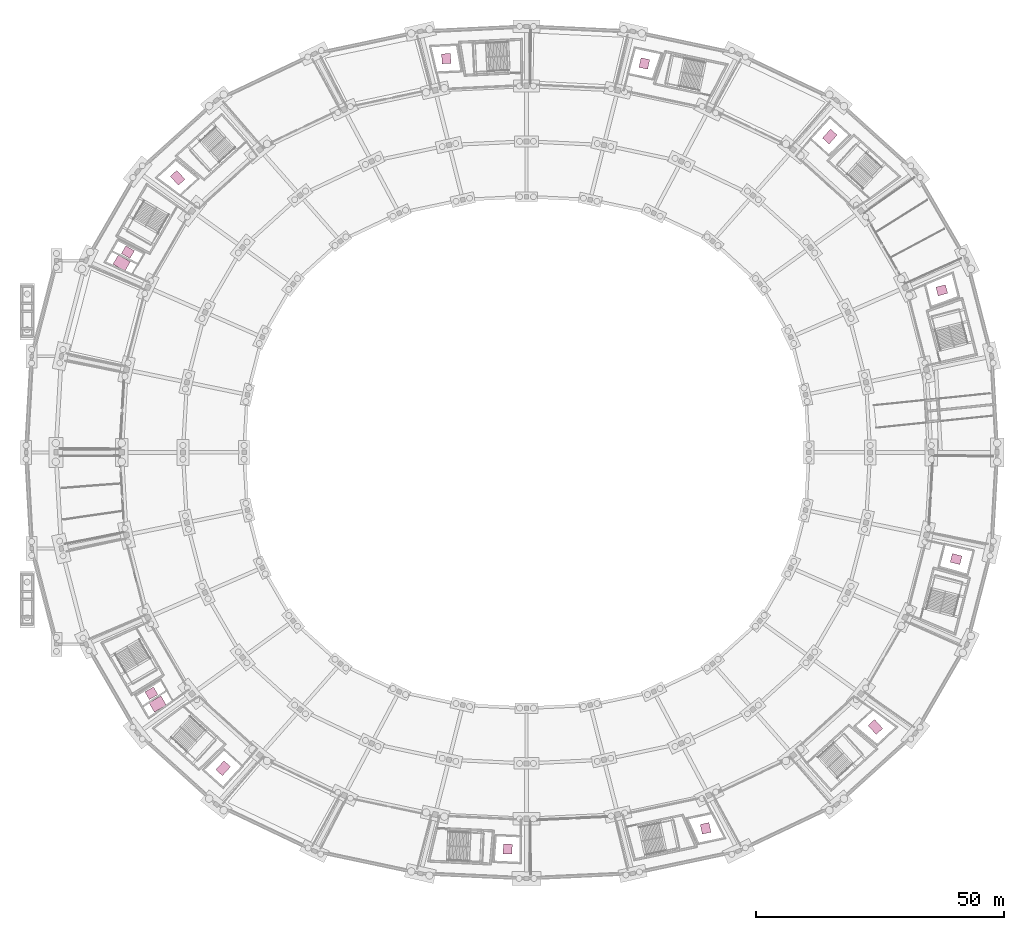
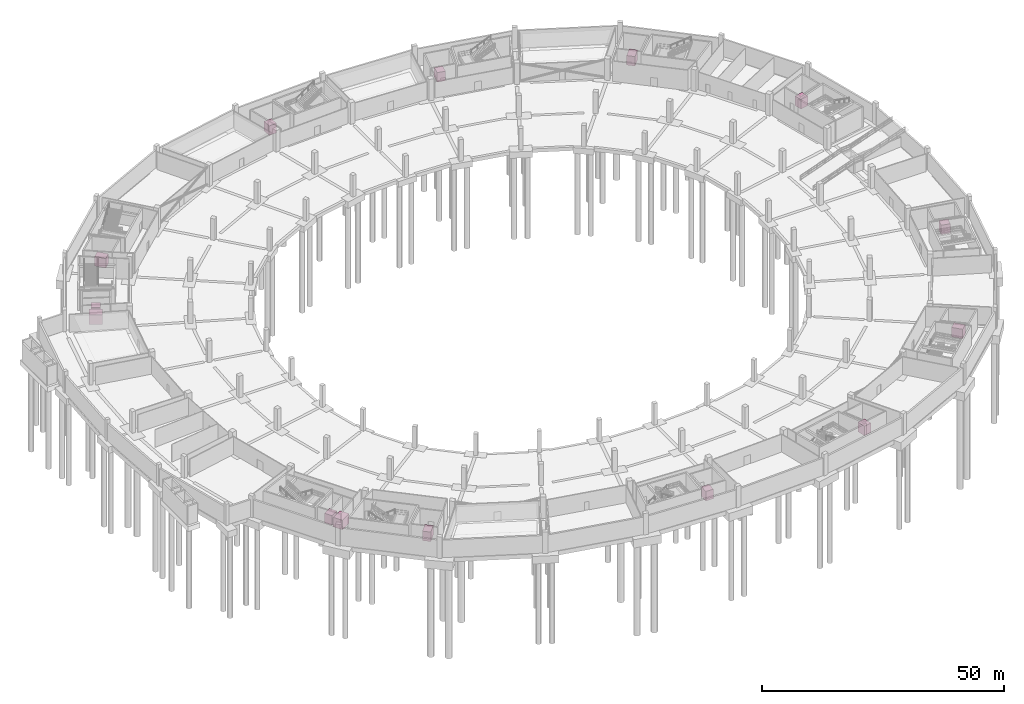
# One storey, part 49 of 49: 14 transport elements.
"""IFC4 building model written with IfcOpenShell, lengths in metres."""

from ifc_helpers import new_model, si_unit, direction, frame, origin, origin_2d, place, context, subcontext, project, spatial, rectangle, extrude, material, type_object, element, save


model = new_model("IFC4")

# Units and contexts
model_context = context("Model", 3, precision=1e-05, world=origin(), true_north=direction((0.0, 1.0)))
body_context = subcontext(model_context, "Body", "Model", "MODEL_VIEW")
ifc_project = project(units=[si_unit("LENGTHUNIT", "METRE"), si_unit("AREAUNIT", "SQUARE_METRE"), si_unit("VOLUMEUNIT", "CUBIC_METRE"), si_unit("PLANEANGLEUNIT", "RADIAN"), si_unit("MASSUNIT", "GRAM", prefix="KILO")], contexts=[model_context])

# Site, building, storey
site_placement = place(None, origin())
site = spatial("IfcSite", under=ifc_project, at=site_placement, CompositionType="ELEMENT")
building_placement = place(site_placement, origin())
building = spatial("IfcBuilding", under=site, at=building_placement, Name="Kazemori Nagisa Stadium", CompositionType="ELEMENT")
storey_placement = place(building_placement, frame((0.0, 0.0, -5.43994140625)))
storey = spatial("IfcBuildingStorey", under=building, at=storey_placement, Name="B1", CompositionType="ELEMENT", Elevation=-5.43994140625)

# Transport elements
ifc_material_1 = material(Name="Stainless steel SUS304", Category="steel")
transport_element_type_1 = type_object("IfcTransportElementType", Name="Lift_FF", PredefinedType="ELEVATOR", material=ifc_material_1)
for number, where, z_axis, x_axis, name in (
    (1, (184.221923828125, 165.746826171875, 0.0), (0.0, 0.0, 1.0), (-0.741350875443, 0.671117634607, 0.0), "Emergency firefighting elevator FL1"),
    (2, (52.58203125, 157.422119140625, 0.0), (0.0, 0.0, 1.0), (-0.741350875443, -0.671117634607, 0.0), "Emergency firefighting elevator FL2"),
    (3, (61.778076171875, 38.253173828125, 0.0), (0.0, 0.0, 1.0), (0.741350875443, -0.671117634607, 0.0), "Emergency firefighting elevator FL3"),
    (4, (193.41796875, 46.577880859375, 0.0), (0.0, 0.0, 1.0), (0.741350875443, 0.671117634607, 0.0), "Emergency firefighting elevator FL4"),
):
    element("IfcTransportElement", number, at=place(storey_placement, frame(where, z_axis=z_axis, x_axis=x_axis)), inside=storey, type_object=transport_element_type_1, Name=name, PredefinedType="ELEVATOR", context=body_context, shape_type="SweptSolid", body=[
        extrude(rectangle(XDim=1.800048828125, YDim=2.449951171875, at=origin_2d()), origin(), (0.0, 0.0, 1.0), 2.39990234375),
    ])
ifc_material_2 = material(Name="Galvanised chequer-plate steel", Category="steel")
transport_element_type_2 = type_object("IfcTransportElementType", Name="Lift_GDS", PredefinedType="ELEVATOR", material=ifc_material_2)
for number, where, z_axis, x_axis, name in (
    (5, (41.281982421875, 140.242919921875, 0.0), (0.0, 0.0, 1.0), (-0.501611590054, -0.865092950337, 0.0), "Freight elevator LG1"),
    (6, (48.55224609375, 51.21875, 0.0), (0.0, 0.0, 1.0), (0.501611590054, -0.865092950337, 0.0), "Freight elevator LG2"),
):
    element("IfcTransportElement", number, at=place(storey_placement, frame(where, z_axis=z_axis, x_axis=x_axis)), inside=storey, type_object=transport_element_type_2, Name=name, PredefinedType="ELEVATOR", context=body_context, shape_type="SweptSolid", body=[
        extrude(rectangle(XDim=2.199951171875, YDim=2.800048828125, at=origin_2d()), origin(), (0.0, 0.0, 1.0), 2.39990234375),
    ])
transport_element_type_3 = type_object("IfcTransportElementType", Name="Lift_PAX", PredefinedType="ELEVATOR", material=ifc_material_1)
for number, where, z_axis, x_axis, name in (
    (7, (206.815185546875, 134.722900390625, 0.0), (0.0, 0.0, 1.0), (-0.249964642418, 0.968254965152, 0.0), "Passenger elevator LP5"),
    (8, (146.781494140625, 180.490966796875, 0.0), (0.0, 0.0, 1.0), (-0.978344955407, 0.206981033502, 0.0), "Passenger elevator LP3"),
    (9, (106.806396484375, 181.472412109375, 0.0), (0.0, 0.0, 1.0), (-0.998884022476, -0.047230388971, 0.0), "Passenger elevator LP1"),
    (10, (42.542236328125, 142.416259765625, 0.0), (0.0, 0.0, 1.0), (-0.501611590054, -0.865092950337, 0.0), "Passenger elevator LP6"),
    (11, (47.2919921875, 53.39208984375, 0.0), (0.0, 0.0, 1.0), (0.501611590054, -0.865092950337, 0.0), "Passenger elevator LP7"),
    (12, (119.201416015625, 21.941650390625, 0.0), (0.0, 0.0, 1.0), (0.998884022476, -0.047230388971, 0.0), "Passenger elevator LP4"),
    (13, (159.147216796875, 26.125244140625, 0.0), (0.0, 0.0, 1.0), (0.978344955407, 0.206981033502, 0.0), "Passenger elevator LP2"),
    (14, (209.705078125, 80.471435546875, 0.0), (0.0, 0.0, 1.0), (0.249964642418, 0.968254965152, 0.0), "Passenger elevator LP8"),
):
    element("IfcTransportElement", number, at=place(storey_placement, frame(where, z_axis=z_axis, x_axis=x_axis)), inside=storey, type_object=transport_element_type_3, Name=name, PredefinedType="ELEVATOR", context=body_context, shape_type="SweptSolid", body=[
        extrude(rectangle(XDim=1.800048828125, YDim=2.0, at=origin_2d()), origin(), (0.0, 0.0, 1.0), 2.39990234375),
    ])

save(model, "model.ifc")
